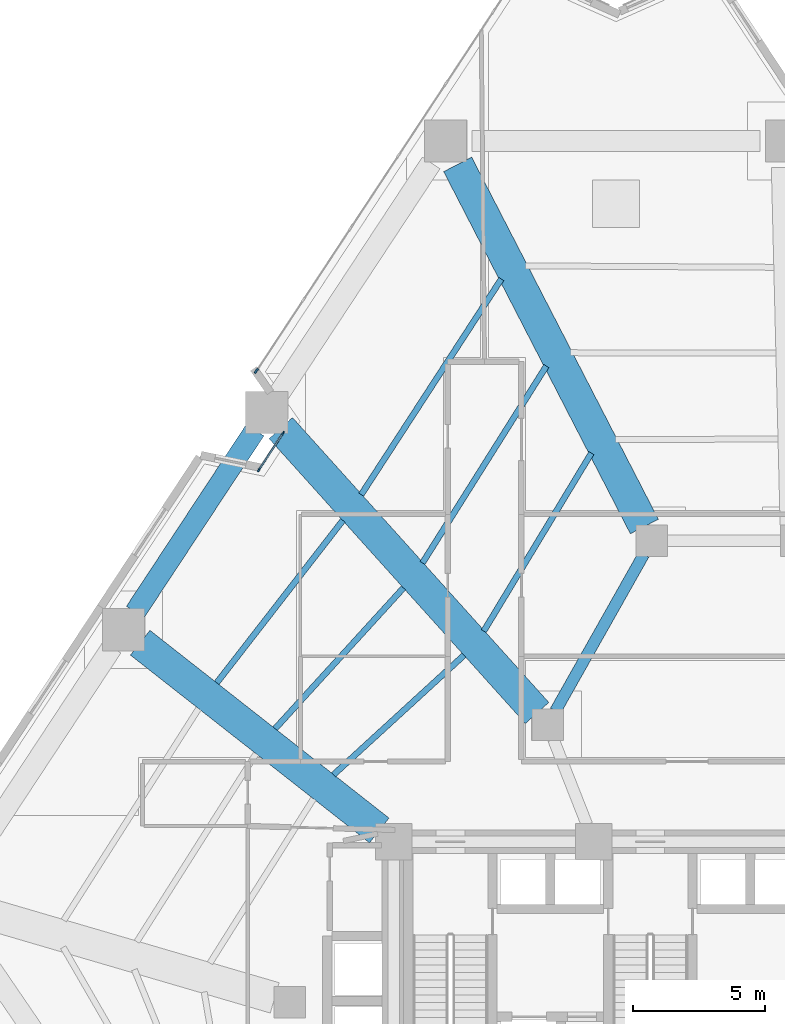
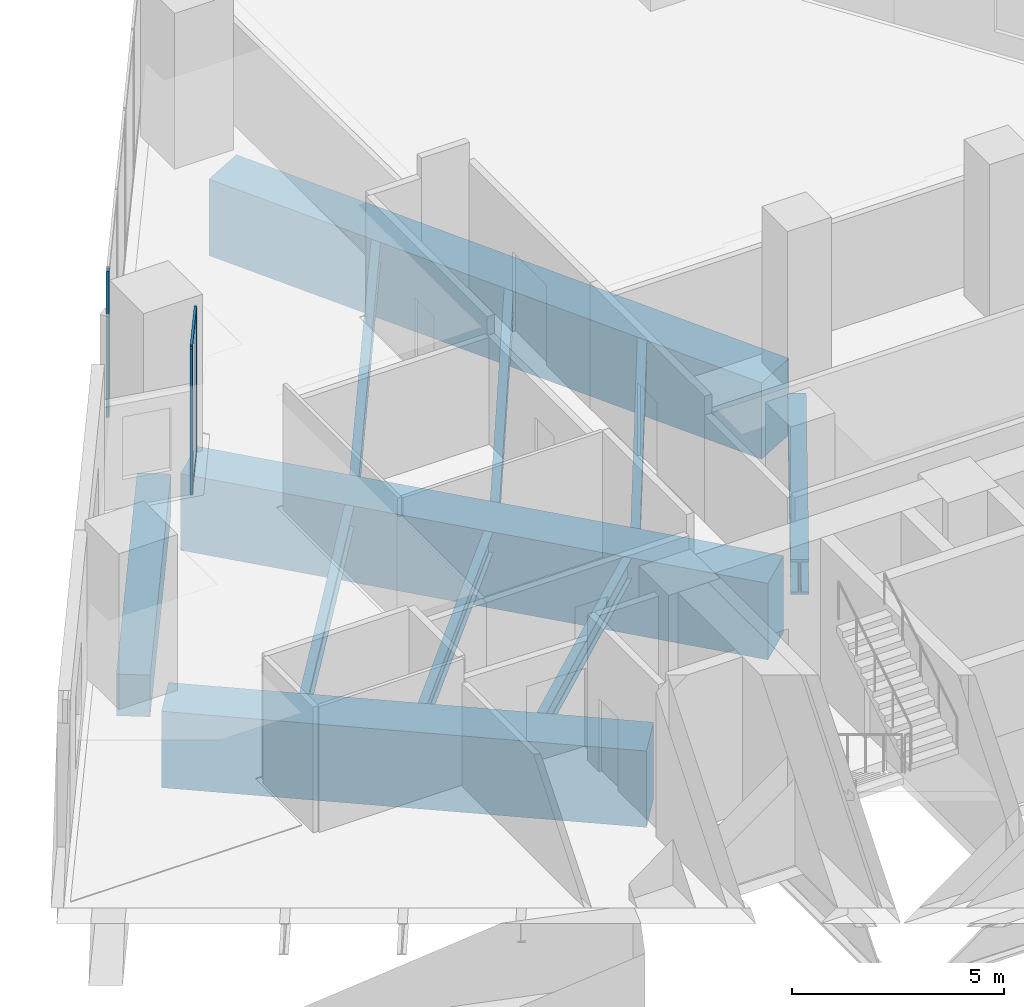
# One storey, part 3 of 15: 11 beams, 5 members, 2 elements without a shape of their own.
"""IFC4 building model written with IfcOpenShell, lengths in metres."""

from ifc_helpers import new_model, si_unit, direction, frame, origin, origin_2d, place, context, subcontext, project, spatial, rectangle, i_section, extrude, material, layer, layer_set, material_profile, profile_set, type_object, element, aggregate, save


model = new_model("IFC4")

# Units and contexts
model_context = context("Model", 3, precision=1e-05, world=origin(), true_north=direction((0.0, 1.0)))
body_context = subcontext(model_context, "Body", "Model", "MODEL_VIEW")
ifc_project = project(units=[si_unit("LENGTHUNIT", "METRE"), si_unit("AREAUNIT", "SQUARE_METRE"), si_unit("VOLUMEUNIT", "CUBIC_METRE"), si_unit("PLANEANGLEUNIT", "RADIAN"), si_unit("MASSUNIT", "GRAM", prefix="KILO")], contexts=[model_context])

# Site, building, storey
site_placement = place(None, origin())
site = spatial("IfcSite", under=ifc_project, at=site_placement, CompositionType="ELEMENT")
building_placement = place(site_placement, origin())
building = spatial("IfcBuilding", under=site, at=building_placement, Name="Almagre Mirador Tower", CompositionType="ELEMENT")
storey_placement = place(building_placement, frame((0.0, 0.0, 8.39990234375)))
storey = spatial("IfcBuildingStorey", under=building, at=storey_placement, Name="L01", CompositionType="ELEMENT", Elevation=8.39990234375)

# Beams
ifc_material_1 = material(Name="Steel ASTM A992 Grade 50", Category="steel")
ifc_material_profile_1 = material_profile(ifc_material_1, i_section(OverallWidth=0.22802734375, OverallDepth=0.60791015625, WebThickness=0.01123046875, FlangeThickness=0.017333984375, FilletRadius=0.02001953125, at=origin_2d()), Name="W24X76")
ifc_profile_set_1 = profile_set([ifc_material_profile_1], Name="Steel ASTM A992 Grade 50")
beam_type_1 = type_object("IfcBeamType", Name="BM-JST-W24X76", PredefinedType="JOIST", material=ifc_profile_set_1)
beam_1_placement = place(storey_placement, frame((31.6396484375, 36.1416015625, -0.60400390625), z_axis=(-0.544975184, -0.83845217444, 0.0), x_axis=(0.83845217444, -0.544975184, 0.0)))
element("IfcBeam", 1, at=beam_1_placement, inside=storey, type_object=beam_type_1, Name="L01 secondary floor joist PC09-PC10.1", PredefinedType="JOIST", context=body_context, shape_type="SweptSolid", body=[
    extrude(i_section(OverallWidth=0.22802734375, OverallDepth=0.60791015625, WebThickness=0.01123046875, FlangeThickness=0.017333984375, FilletRadius=0.02001953125, at=origin_2d()), origin(), (0.0, 0.0, 1.0), 9.7763671875),
])
beam_2_placement = place(storey_placement, frame((33.35009765625, 32.8330078125, -0.60400390625), z_axis=(-0.532551012141, -0.846397908473, 0.0), x_axis=(0.846397908473, -0.532551012141, 0.0)))
element("IfcBeam", 2, at=beam_2_placement, inside=storey, type_object=beam_type_1, Name="L01 secondary floor joist PC09-PC10.2", PredefinedType="JOIST", context=body_context, shape_type="SweptSolid", body=[
    extrude(i_section(OverallWidth=0.22802734375, OverallDepth=0.60791015625, WebThickness=0.01123046875, FlangeThickness=0.017333984375, FilletRadius=0.02001953125, at=origin_2d()), origin(), (0.0, 0.0, 1.0), 8.840087890625),
])
beam_3_placement = place(storey_placement, frame((35.06201171875, 29.523681640625, -0.60400390625), z_axis=(-0.517417235431, -0.855733255447, 0.0), x_axis=(0.855733255447, -0.517417235431, 0.0)))
element("IfcBeam", 3, at=beam_3_placement, inside=storey, type_object=beam_type_1, Name="L01 secondary floor joist PC09-PC10.3", PredefinedType="JOIST", context=body_context, shape_type="SweptSolid", body=[
    extrude(i_section(OverallWidth=0.22802734375, OverallDepth=0.60791015625, WebThickness=0.01123046875, FlangeThickness=0.017333984375, FilletRadius=0.02001953125, at=origin_2d()), origin(), (0.0, 0.0, 1.0), 7.90625),
])
beam_4_placement = place(storey_placement, frame((25.61669921875, 26.9677734375, -0.60400390625), z_axis=(-0.613231061335, -0.789903579821, 0.0), x_axis=(0.789903579821, -0.613231061335, 0.0)))
element("IfcBeam", 4, at=beam_4_placement, inside=storey, type_object=beam_type_1, Name="L01 secondary floor joist PC10-PC11.1", PredefinedType="JOIST", context=body_context, shape_type="SweptSolid", body=[
    extrude(i_section(OverallWidth=0.22802734375, OverallDepth=0.60791015625, WebThickness=0.01123046875, FlangeThickness=0.017333984375, FilletRadius=0.02001953125, at=origin_2d()), origin(), (0.0, 0.0, 1.0), 7.81591796875),
])
beam_5_placement = place(storey_placement, frame((27.91845703125, 24.399658203125, -0.60400390625), z_axis=(-0.673774982924, -0.738936582114, 0.0), x_axis=(0.738936582114, -0.673774982924, 0.0)))
element("IfcBeam", 5, at=beam_5_placement, inside=storey, type_object=beam_type_1, Name="L01 secondary floor joist PC10-PC11.2", PredefinedType="JOIST", context=body_context, shape_type="SweptSolid", body=[
    extrude(i_section(OverallWidth=0.22802734375, OverallDepth=0.60791015625, WebThickness=0.01123046875, FlangeThickness=0.017333984375, FilletRadius=0.02001953125, at=origin_2d()), origin(), (0.0, 0.0, 1.0), 7.238525390625),
])
beam_6_placement = place(storey_placement, frame((30.21826171875, 21.83935546875, -0.60400390625), z_axis=(-0.737530939883, -0.675313344097, 0.0), x_axis=(0.675313344097, -0.737530939883, 0.0)))
element("IfcBeam", 6, at=beam_6_placement, inside=storey, type_object=beam_type_1, Name="L01 secondary floor joist PC10-PC11.3", PredefinedType="JOIST", context=body_context, shape_type="SweptSolid", body=[
    extrude(i_section(OverallWidth=0.22802734375, OverallDepth=0.60791015625, WebThickness=0.01123046875, FlangeThickness=0.017333984375, FilletRadius=0.02001953125, at=origin_2d()), origin(), (0.0, 0.0, 1.0), 6.7216796875),
])
ifc_material_2 = material(Name="Precast concrete C50/60", Category="concrete")
ifc_material_profile_2 = material_profile(ifc_material_2, rectangle(XDim=0.800048828125, YDim=1.199951171875, at=origin_2d()), Name="RC800X1200")
ifc_profile_set_2 = profile_set([ifc_material_profile_2], Name="Precast concrete C50/60")
beam_type_2 = type_object("IfcBeamType", Name="BM-SPN-RC800X1200", PredefinedType="SPANDREL", material=ifc_profile_set_2)
beam_7_placement = place(storey_placement, frame((22.28173828125, 30.39990234375, -0.89990234375), z_axis=(-0.55020506323, -0.835029573366, 0.0), x_axis=(0.835029573366, -0.55020506323, 0.0)))
element("IfcBeam", 7, at=beam_7_placement, inside=storey, type_object=beam_type_2, Name="L01 perimeter spandrel beam PC10-PC11", PredefinedType="SPANDREL", context=body_context, shape_type="SweptSolid", body=[
    extrude(rectangle(XDim=0.800048828125, YDim=1.199951171875, at=origin_2d()), origin(), (0.0, 0.0, 1.0), 8.287109375),
])
ifc_material_3 = material(Name="Steel ASTM A992 Grade 50", Category="steel")
ifc_material_profile_3 = material_profile(ifc_material_3, i_section(OverallWidth=0.43701171875, OverallDepth=1.010986328125, WebThickness=0.041015625, FlangeThickness=0.073974609375, FilletRadius=0.028076171875, at=origin_2d()), Name="W36X529")
ifc_profile_set_3 = profile_set([ifc_material_profile_3], Name="Steel ASTM A992 Grade 50")
beam_type_3 = type_object("IfcBeamType", Name="BM-STL-W36X529", PredefinedType="BEAM", material=ifc_profile_set_3)
beam_8_placement = place(storey_placement, frame((37.05517578125, 25.677490234375, -0.805419921875), z_axis=(-0.491440637516, -0.870911074564, 0.0), x_axis=(0.870911074564, -0.491440637516, 0.0)))
element("IfcBeam", 8, at=beam_8_placement, inside=storey, type_object=beam_type_3, Name="L01 core tie girder MC7-MC8", PredefinedType="BEAM", context=body_context, shape_type="SweptSolid", body=[
    extrude(i_section(OverallWidth=0.43701171875, OverallDepth=1.010986328125, WebThickness=0.041015625, FlangeThickness=0.073974609375, FilletRadius=0.028076171875, at=origin_2d()), origin(), (0.0, 0.0, 1.0), 6.837646484375),
])
ifc_material_4 = material(Name="Concrete C60/75", Category="concrete")
ifc_material_profile_4 = material_profile(ifc_material_4, rectangle(XDim=1.199951171875, YDim=2.199951171875, at=origin_2d()), Name="RC1200X2200")
ifc_profile_set_4 = profile_set([ifc_material_profile_4], Name="Concrete C60/75")
beam_type_4 = type_object("IfcBeamType", Name="BM-XFER-RC1200X2200", PredefinedType="BEAM", material=ifc_profile_set_4)
beam_9_placement = place(storey_placement, frame((29.97998046875, 40.4990234375, -1.39990234375), z_axis=(0.458152137996, -0.888873792194, 0.0), x_axis=(0.888873792194, 0.458152137996, 0.0)))
element("IfcBeam", 9, at=beam_9_placement, inside=storey, type_object=beam_type_4, Name="L01 radial transfer girder PC09-MC7", PredefinedType="BEAM", context=body_context, shape_type="SweptSolid", body=[
    extrude(rectangle(XDim=1.199951171875, YDim=2.199951171875, at=origin_2d()), origin(), (0.0, 0.0, 1.0), 15.486572265625),
])
beam_10_placement = place(storey_placement, frame((23.257080078125, 30.473388671875, -1.39990234375), z_axis=(0.668852666091, -0.743394989937, 0.0), x_axis=(0.743394989937, 0.668852666091, 0.0)))
element("IfcBeam", 10, at=beam_10_placement, inside=storey, type_object=beam_type_4, Name="L01 radial transfer girder PC10-MC8", PredefinedType="BEAM", context=body_context, shape_type="SweptSolid", body=[
    extrude(rectangle(XDim=1.199951171875, YDim=2.199951171875, at=origin_2d()), origin(), (0.0, 0.0, 1.0), 14.564697265625),
])
beam_11_placement = place(storey_placement, frame((17.9111328125, 22.318115234375, -1.39990234375), z_axis=(0.786533842835, -0.617547175587, 0.0), x_axis=(0.617547175587, 0.786533842835, 0.0)))
element("IfcBeam", 11, at=beam_11_placement, inside=storey, type_object=beam_type_4, Name="L01 radial transfer girder PC11-CC4", PredefinedType="BEAM", context=body_context, shape_type="SweptSolid", body=[
    extrude(rectangle(XDim=1.199951171875, YDim=2.199951171875, at=origin_2d()), origin(), (0.0, 0.0, 1.0), 11.554931640625),
])

# Curtain wall, members
ifc_material_5 = material(Name="Black anodized aluminium", Category="aluminium")
ifc_layer_1 = layer(ifc_material_5, 0.169921875)
ifc_layer_set_1 = layer_set([ifc_layer_1], Name="Black anodized aluminium")
curtain_wall_type_1 = type_object("IfcCurtainWallType", Name="CW-CRS-SYS", PredefinedType="NOTDEFINED", material=ifc_layer_set_1)
curtain_wall_1_placement = place(storey_placement, origin())
curtain_wall_1 = element("IfcCurtainWall", 12, at=curtain_wall_1_placement, inside=storey, type_object=curtain_wall_type_1, Name="L01 vertical crease curtain wall 01", PredefinedType="NOTDEFINED")
ifc_material_6 = material(Name="Black anodized aluminium", Category="aluminium")
ifc_material_profile_5 = material_profile(ifc_material_6, rectangle(XDim=0.06005859375, YDim=0.14990234375, at=origin_2d()), Name="CWM60X150")
ifc_profile_set_5 = profile_set([ifc_material_profile_5], Name="Black anodized aluminium")
member_type_1 = type_object("IfcMemberType", Name="MBR-CWM60X150", PredefinedType="MULLION", material=ifc_profile_set_5)
member_1_placement = place(storey_placement, frame((22.422607421875, 28.88623046875, 0.0), z_axis=(0.0, 0.0, 1.0), x_axis=(-0.834990187855, 0.550264832772, 0.0)))
member_1 = element("IfcMember", 13, at=member_1_placement, type_object=member_type_1, Name="CW-4 mullion 1", PredefinedType="MULLION", context=body_context, shape_type="SweptSolid", body=[
    extrude(rectangle(XDim=0.06005859375, YDim=0.14990234375, at=origin_2d()), origin(), (0.0, 0.0, 1.0), 4.2001953125),
])
member_2_placement = place(storey_placement, frame((23.341796875, 30.281005859375, 0.0), z_axis=(0.0, 0.0, 1.0), x_axis=(-0.834990187855, 0.550264832772, 0.0)))
member_2 = element("IfcMember", 14, at=member_2_placement, type_object=member_type_1, Name="CW-4 mullion 2", PredefinedType="MULLION", context=body_context, shape_type="SweptSolid", body=[
    extrude(rectangle(XDim=0.06005859375, YDim=0.14990234375, at=origin_2d()), origin(), (0.0, 0.0, 1.0), 4.2001953125),
])

# Curtain wall, member
ifc_material_7 = material(Name="Black anodized aluminium", Category="aluminium")
ifc_layer_2 = layer(ifc_material_7, 0.219970703125)
ifc_layer_set_2 = layer_set([ifc_layer_2], Name="Black anodized aluminium")
curtain_wall_type_2 = type_object("IfcCurtainWallType", Name="CW-POD-SYS", PredefinedType="NOTDEFINED", material=ifc_layer_set_2)
curtain_wall_2_placement = place(storey_placement, origin())
curtain_wall_2 = element("IfcCurtainWall", 15, at=curtain_wall_2_placement, inside=storey, type_object=curtain_wall_type_2, Name="L01 curtain wall run 02", PredefinedType="NOTDEFINED")
ifc_material_8 = material(Name="Black anodized aluminium", Category="aluminium")
ifc_material_profile_6 = material_profile(ifc_material_8, rectangle(XDim=0.070068359375, YDim=0.2099609375, at=origin_2d()), Name="CWM70X210")
ifc_profile_set_6 = profile_set([ifc_material_profile_6], Name="Black anodized aluminium")
member_type_2 = type_object("IfcMemberType", Name="MBR-CWM70X210", PredefinedType="MULLION", material=ifc_profile_set_6)
member_3_placement = place(storey_placement, frame((22.3271484375, 32.649169921875, 0.0), z_axis=(0.0, 0.0, 1.0), x_axis=(-0.835032200727, 0.550201075743, 0.0)))
member_3 = element("IfcMember", 16, at=member_3_placement, type_object=member_type_2, Name="CW-1 mullion 1", PredefinedType="MULLION", context=body_context, shape_type="SweptSolid", body=[
    extrude(rectangle(XDim=0.070068359375, YDim=0.2099609375, at=origin_2d()), origin(), (0.0, 0.0, 1.0), 4.2001953125),
])
aggregate(curtain_wall_2, [member_3])

# Member
ifc_material_9 = material(Name="Black anodized aluminium", Category="aluminium")
ifc_material_profile_7 = material_profile(ifc_material_9, rectangle(XDim=0.06005859375, YDim=0.1298828125, at=origin_2d()), Name="CWT60X130")
ifc_profile_set_7 = profile_set([ifc_material_profile_7], Name="Black anodized aluminium")
member_type_3 = type_object("IfcMemberType", Name="MBR-CWT60X130", PredefinedType="USERDEFINED", material=ifc_profile_set_7)
member_4_placement = place(storey_placement, frame((22.43896484375, 28.9111328125, 0.030029296875), z_axis=(0.550284538836, 0.834977201077, 0.0), x_axis=(-0.834977201077, 0.550284538836, 0.0)))
member_4 = element("IfcMember", 17, at=member_4_placement, type_object=member_type_3, Name="CW-4 transom 1.1", ObjectType="TRANSOM", PredefinedType="USERDEFINED", context=body_context, shape_type="SweptSolid", body=[
    extrude(rectangle(XDim=0.06005859375, YDim=0.1298828125, at=origin_2d()), origin(), (0.0, 0.0, 1.0), 1.610595703125),
])

member_5_placement = place(storey_placement, frame((22.43896484375, 28.9111328125, 4.170166015625), z_axis=(0.550284538836, 0.834977201077, 0.0), x_axis=(-0.834977201077, 0.550284538836, 0.0)))
member_5 = element("IfcMember", 18, at=member_5_placement, type_object=member_type_3, Name="CW-4 transom 1.2", ObjectType="TRANSOM", PredefinedType="USERDEFINED", context=body_context, shape_type="SweptSolid", body=[
    extrude(rectangle(XDim=0.06005859375, YDim=0.1298828125, at=origin_2d()), origin(), (0.0, 0.0, 1.0), 1.610595703125),
])

aggregate(curtain_wall_1, [member_1, member_2, member_4, member_5])

save(model, "model.ifc")
